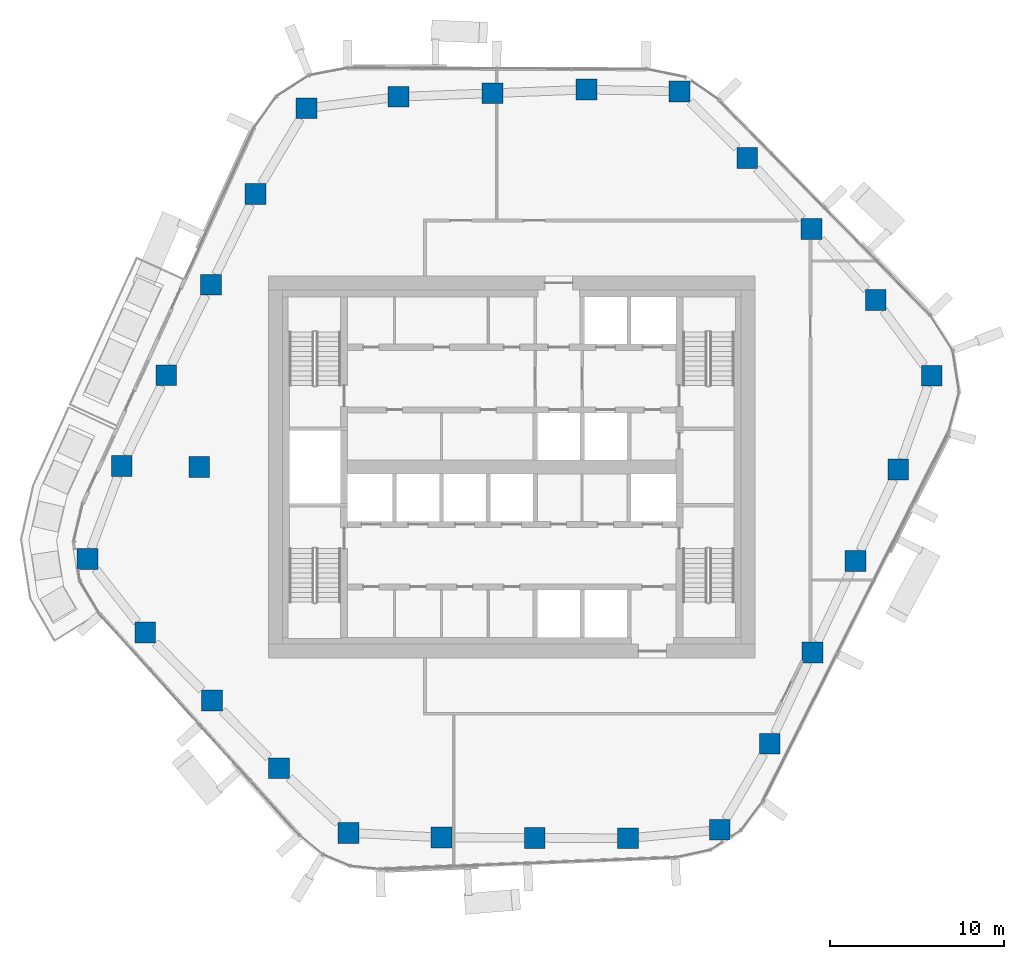
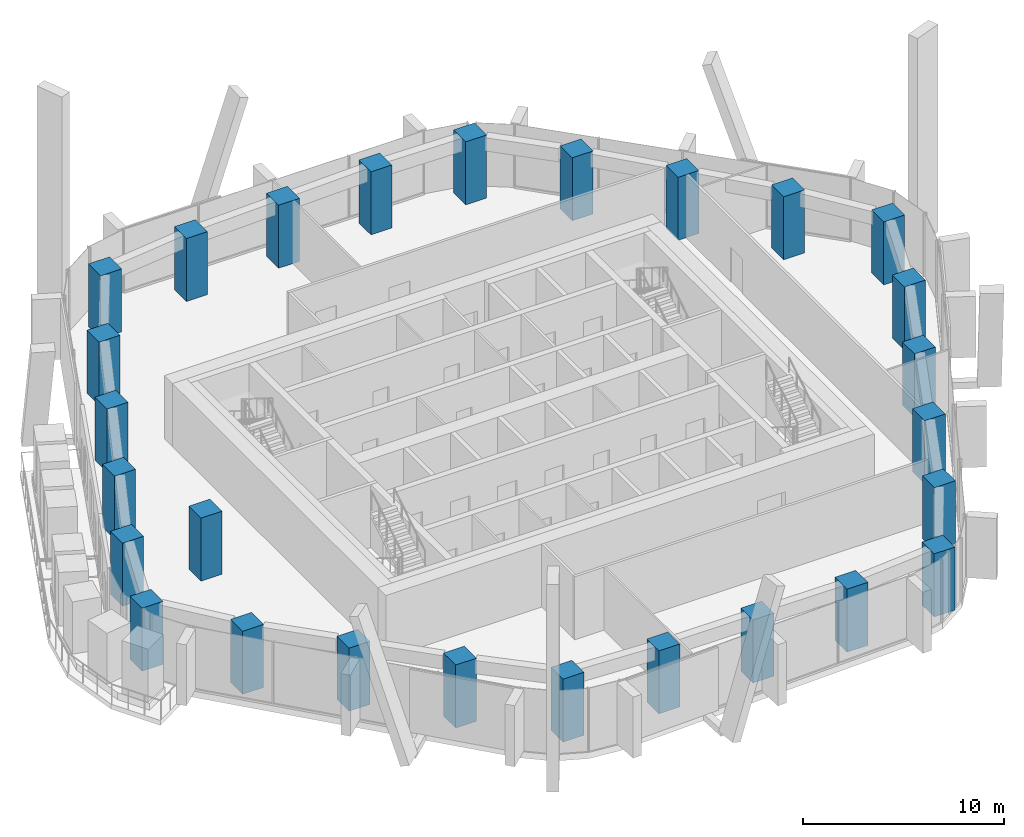
# One storey, part 1 of 19: 27 columns.
"""IFC4 building model written with IfcOpenShell, lengths in metres."""

from ifc_helpers import new_model, si_unit, direction, frame, origin, origin_2d, place, context, subcontext, project, spatial, rectangle, extrude, material, material_profile, profile_set, type_object, element, save


model = new_model("IFC4")

# Units and contexts
model_context = context("Model", 3, precision=1e-05, world=origin(), true_north=direction((0.0, 1.0)))
body_context = subcontext(model_context, "Body", "Model", "MODEL_VIEW")
ifc_project = project(units=[si_unit("LENGTHUNIT", "METRE"), si_unit("AREAUNIT", "SQUARE_METRE"), si_unit("VOLUMEUNIT", "CUBIC_METRE"), si_unit("PLANEANGLEUNIT", "RADIAN"), si_unit("MASSUNIT", "GRAM", prefix="KILO")], contexts=[model_context])

# Site, building, storey
site_placement = place(None, origin())
site = spatial("IfcSite", under=ifc_project, at=site_placement, CompositionType="ELEMENT")
building_placement = place(site_placement, origin())
building = spatial("IfcBuilding", under=site, at=building_placement, Name="Dongbaek Canopy Tower", CompositionType="ELEMENT")
storey_placement = place(building_placement, frame((0.0, 0.0, 198.800048828125)))
storey = spatial("IfcBuildingStorey", under=building, at=storey_placement, Name="L41", CompositionType="ELEMENT", Elevation=198.800048828125)

# Columns
ifc_material = material(Name="Concrete C70", Category="concrete")
ifc_material_profile = material_profile(ifc_material, rectangle(XDim=1.199951171875, YDim=1.199951171875, at=origin_2d()), Name="RC COLUMN 1200x1200 C70")
ifc_profile_set = profile_set([ifc_material_profile], Name="Concrete C70")
column_type = type_object("IfcColumnType", Name="RC COLUMN 1200x1200 C70", PredefinedType="COLUMN", material=ifc_profile_set)
for number, where, z_axis, x_axis, name in (
    (1, (11.971923828125, -20.885009765625, 0.0), (0.0, 0.0, 1.0), (1.0, 0.0, 0.0), "COL:CZ3-01:L41"),
    (2, (6.697998046875, -21.3720703125, 0.0), (0.0, 0.0, 1.0), (1.0, 0.0, 0.0), "COL:CZ3-02:L41"),
    (3, (1.321044921875, -21.347900390625, 0.0), (0.0, 0.0, 1.0), (1.0, 0.0, 0.0), "COL:CZ3-03:L41"),
    (4, (-4.054931640625, -21.323974609375, 0.0), (0.0, 0.0, 1.0), (1.0, 0.0, 0.0), "COL:CZ3-04:L41"),
    (5, (-9.407958984375, -21.06103515625, 0.0), (0.0, 0.0, 1.0), (1.0, 0.0, 0.0), "COL:CZ3-05:L41"),
    (6, (-13.409912109375, -17.339111328125, 0.0), (0.0, 0.0, 1.0), (1.0, 0.0, 0.0), "COL:CZ3-06:L41"),
    (7, (-17.258056640625, -13.431884765625, 0.0), (0.0, 0.0, 1.0), (1.0, 0.0, 0.0), "COL:CZ3-07:L41"),
    (8, (-21.10595703125, -9.52490234375, 0.0), (0.0, 0.0, 1.0), (1.0, 0.0, 0.0), "COL:CZ3-08:L41"),
    (9, (-24.43505859375, -5.2939453125, 0.0), (0.0, 0.0, 1.0), (1.0, 0.0, 0.0), "COL:CZ3-09:L41"),
    (10, (-22.4619140625, 0.06689453125, 0.0), (0.0, 0.0, 1.0), (1.0, 0.0, 0.0), "COL:CZ3-10:L41"),
    (11, (-19.89599609375, 5.287109375, 0.0), (0.0, 0.0, 1.0), (1.0, 0.0, 0.0), "COL:CZ3-11:L41"),
    (12, (-17.327880859375, 10.5048828125, 0.0), (0.0, 0.0, 1.0), (1.0, 0.0, 0.0), "COL:CZ3-12:L41"),
    (13, (-14.761962890625, 15.72412109375, 0.0), (0.0, 0.0, 1.0), (1.0, 0.0, 0.0), "COL:CZ3-13:L41"),
    (14, (-11.822998046875, 20.660888671875, 0.0), (0.0, 0.0, 1.0), (1.0, 0.0, 0.0), "COL:CZ3-14:L41"),
    (15, (-6.52197265625, 21.322998046875, 0.0), (0.0, 0.0, 1.0), (1.0, 0.0, 0.0), "COL:CZ3-15:L41"),
    (16, (-1.113037109375, 21.530029296875, 0.0), (0.0, 0.0, 1.0), (1.0, 0.0, 0.0), "COL:CZ3-16:L41"),
    (17, (4.294921875, 21.736083984375, 0.0), (0.0, 0.0, 1.0), (1.0, 0.0, 0.0), "COL:CZ3-17:L41"),
    (18, (9.666015625, 21.635009765625, 0.0), (0.0, 0.0, 1.0), (1.0, 0.0, 0.0), "COL:CZ3-18:L41"),
    (19, (13.56005859375, 17.7919921875, 0.0), (0.0, 0.0, 1.0), (1.0, 0.0, 0.0), "COL:CZ3-19:L41"),
    (20, (17.260986328125, 13.7060546875, 0.0), (0.0, 0.0, 1.0), (1.0, 0.0, 0.0), "COL:CZ3-20:L41"),
    (21, (20.9599609375, 9.62109375, 0.0), (0.0, 0.0, 1.0), (1.0, 0.0, 0.0), "COL:CZ3-21:L41"),
    (22, (24.179931640625, 5.257080078125, 0.0), (0.0, 0.0, 1.0), (1.0, 0.0, 0.0), "COL:CZ3-22:L41"),
    (23, (22.25390625, -0.134033203125, 0.0), (0.0, 0.0, 1.0), (1.0, 0.0, 0.0), "COL:CZ3-23:L41"),
    (24, (19.7880859375, -5.39892578125, 0.0), (0.0, 0.0, 1.0), (1.0, 0.0, 0.0), "COL:CZ3-24:L41"),
    (25, (17.322021484375, -10.666015625, 0.0), (0.0, 0.0, 1.0), (1.0, 0.0, 0.0), "COL:CZ3-25:L41"),
    (26, (14.85498046875, -15.931884765625, 0.0), (0.0, 0.0, 1.0), (1.0, 0.0, 0.0), "COL:CZ3-26:L41"),
    (27, (-18.0, 0.0, 0.0), (0.0, 0.0, 1.0), (1.0, 0.0, 0.0), "COL:CIZ3-01:L41"),
):
    element("IfcColumn", number, at=place(storey_placement, frame(where, z_axis=z_axis, x_axis=x_axis)), inside=storey, type_object=column_type, Name=name, PredefinedType="COLUMN", context=body_context, shape_type="SweptSolid", body=[
        extrude(rectangle(XDim=1.199951171875, YDim=1.199951171875, at=origin_2d()), origin(), (0.0, 0.0, 1.0), 3.820068359375),
    ])

save(model, "model.ifc")
